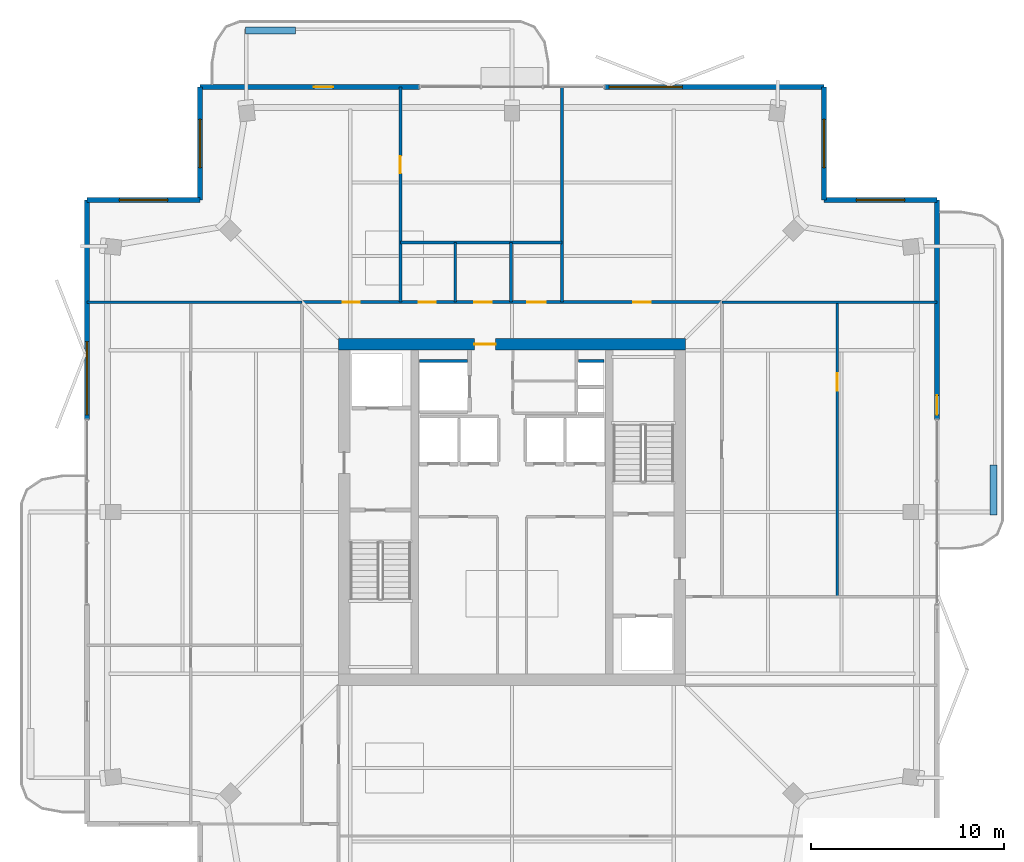
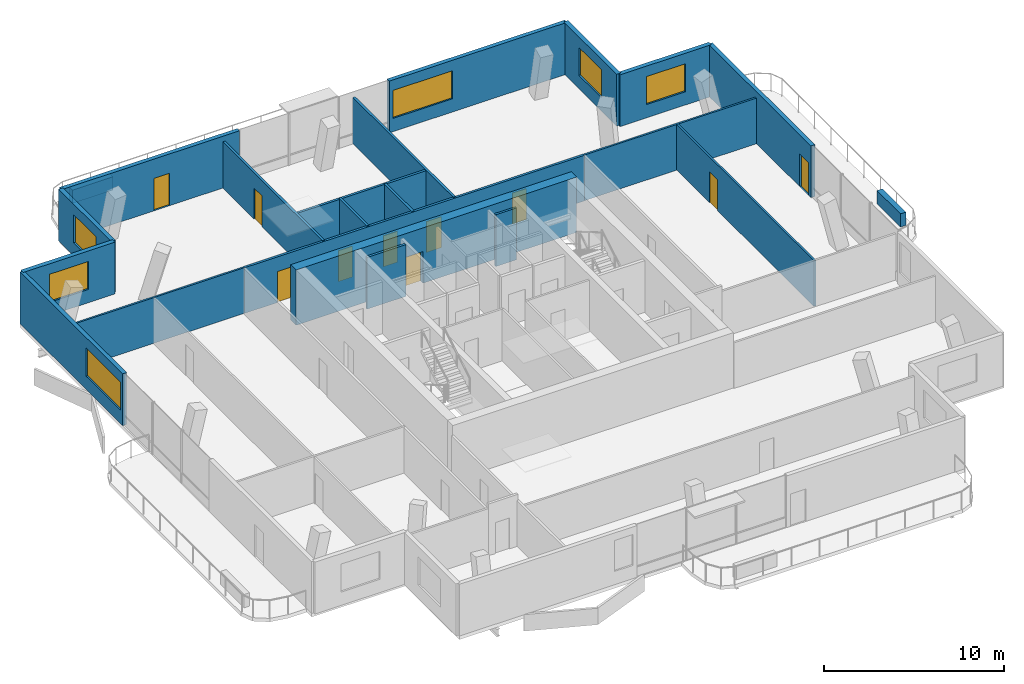
# One storey, part 15 of 19: 22 walls, 10 doors, 6 windows, 16 openings.
"""IFC4 building model written with IfcOpenShell, lengths in metres."""

from ifc_helpers import new_model, si_unit, direction, frame, frame_2d, origin, place, context, subcontext, project, spatial, rectangle, extrude, material, layer, layer_set, type_object, element, fill, save


model = new_model("IFC4")

# Units and contexts
model_context = context("Model", 3, precision=1e-05, world=origin(), true_north=direction((0.0, 1.0)))
body_context = subcontext(model_context, "Body", "Model", "MODEL_VIEW")
ifc_project = project(units=[si_unit("LENGTHUNIT", "METRE"), si_unit("AREAUNIT", "SQUARE_METRE"), si_unit("VOLUMEUNIT", "CUBIC_METRE"), si_unit("PLANEANGLEUNIT", "RADIAN"), si_unit("MASSUNIT", "GRAM", prefix="KILO")], contexts=[model_context])

# Site, building, storey
site_placement = place(None, origin())
site = spatial("IfcSite", under=ifc_project, at=site_placement, CompositionType="ELEMENT")
building_placement = place(site_placement, origin())
building = spatial("IfcBuilding", under=site, at=building_placement, Name="Belovzor Exchange Tower", CompositionType="ELEMENT")
storey_placement = place(building_placement, frame((0.0, 0.0, 340.5)))
storey = spatial("IfcBuildingStorey", under=building, at=storey_placement, Name="L85", CompositionType="ELEMENT", Elevation=340.5)

# Wall, opening, door
ifc_material_1 = material(Name="Acoustic Plasterboard on Galvanised Studs", Category="gypsum")
ifc_layer_1 = layer(ifc_material_1, 0.1201171875)
ifc_layer_set_1 = layer_set([ifc_layer_1], Name="Acoustic Plasterboard on Galvanised Studs")
wall_type_1 = type_object("IfcWallType", Name="Acoustic Double-Stud Partition Wall 120", PredefinedType="PARTITIONING", material=ifc_layer_set_1)
wall_1_placement = place(storey_placement, frame((45.68310546875, 24.39990234375, 0.0), z_axis=(0.0, 0.0, 1.0), x_axis=(0.0, 1.0, 0.0)))
wall_1 = element("IfcWall", 1, at=wall_1_placement, inside=storey, type_object=wall_type_1, Name="W-P120 Partition Wall W-L85-EHDIV-0", PredefinedType="PARTITIONING", context=body_context, shape_type="SweptSolid", body=[
    extrude(rectangle(XDim=15.300048828125, YDim=0.1201171875, at=frame_2d((7.64990234375, 0.0))), origin(), (0.0, 0.0, 1.0), 3.094970703125),
])
opening_1_placement = place(wall_1_placement, frame((10.699951171875, 0.0, 0.0)))
opening_1 = element("IfcOpeningElement", 2, at=opening_1_placement, cuts=wall_1, Name="Opening D-INT-090", PredefinedType="OPENING", context=body_context, shape_type="SweptSolid", body=[
    extrude(rectangle(XDim=0.89990234375, YDim=2.10009765625, at=frame_2d((0.449951171875, 1.050048828125))), frame((0.0, 0.070068359375, 0.0), z_axis=(0.0, -1.0, 0.0), x_axis=(1.0, 0.0, 0.0)), (0.0, 0.0, 1.0), 0.14013671875),
])
ifc_material_2 = material(Name="Veneered Hardwood Acoustic Leaf", Category="wood")
door_type_1 = type_object("IfcDoorType", Name="Trading Suite Acoustic Single Door 900x2100", OperationType="NOTDEFINED", PredefinedType="DOOR", material=ifc_material_2)
door_1_placement = place(opening_1_placement, origin())
door_1 = element("IfcDoor", 3, at=door_1_placement, inside=storey, type_object=door_type_1, Name="D-INT-090 Trading Suite Acoustic Single Door 900x2100", OperationType="SINGLE_SWING_RIGHT", OverallHeight=2.10009765625, OverallWidth=0.89990234375, PredefinedType="DOOR", context=body_context, shape_type="SweptSolid", body=[
    extrude(rectangle(XDim=0.89990234375, YDim=2.10009765625, at=frame_2d((0.449951171875, 1.050048828125))), frame((0.0, 0.02490234375, 0.0), z_axis=(0.0, -1.0, 0.0), x_axis=(1.0, 0.0, 0.0)), (0.0, 0.0, 1.0), 0.050048828125),
])
fill(opening_1, door_1)

# Walls
wall_2_placement = place(storey_placement, frame((6.72998046875, 39.699951171875, 0.0), z_axis=(0.0, 0.0, 1.0), x_axis=(1.0, 0.0, 0.0)))
element("IfcWall", 4, at=wall_2_placement, inside=storey, type_object=wall_type_1, Name="W-P120 Partition Wall W-L85-END-NW", PredefinedType="PARTITIONING", context=body_context, shape_type="SweptSolid", body=[
    extrude(rectangle(XDim=11.169921875, YDim=0.1201171875, at=frame_2d((5.5849609375, 0.0))), origin(), (0.0, 0.0, 1.0), 3.094970703125),
])
wall_3_placement = place(storey_placement, frame((39.699951171875, 39.699951171875, 0.0), z_axis=(0.0, 0.0, 1.0), x_axis=(1.0, 0.0, 0.0)))
element("IfcWall", 5, at=wall_3_placement, inside=storey, type_object=wall_type_1, Name="W-P120 Partition Wall W-L85-END-NE", PredefinedType="PARTITIONING", context=body_context, shape_type="SweptSolid", body=[
    extrude(rectangle(XDim=11.170166015625, YDim=0.1201171875, at=frame_2d((5.5849609375, 0.0))), origin(), (0.0, 0.0, 1.0), 3.094970703125),
])
ifc_material_3 = material(Name="Fire-Rated Gypsum Block and Mineral Wool", Category="gypsum")
ifc_layer_2 = layer(ifc_material_3, 0.14990234375)
ifc_layer_set_2 = layer_set([ifc_layer_2], Name="Fire-Rated Gypsum Block and Mineral Wool")
wall_type_2 = type_object("IfcWallType", Name="Fire-Rated Gypsum Block Corridor Wall 150", PredefinedType="PARTITIONING", material=ifc_layer_set_2)
wall_4_placement = place(storey_placement, frame((23.0, 42.800048828125, 0.0), z_axis=(0.0, 0.0, 1.0), x_axis=(1.0, 0.0, 0.0)))
element("IfcWall", 6, at=wall_4_placement, inside=storey, type_object=wall_type_2, Name="W-P150 Partition Wall W-L85-WCN", PredefinedType="PARTITIONING", context=body_context, shape_type="SweptSolid", body=[
    extrude(rectangle(XDim=8.39990234375, YDim=0.14990234375, at=frame_2d((4.199951171875, 0.0))), origin(), (0.0, 0.0, 1.0), 3.094970703125),
])

# Wall, opening, door
wall_5_placement = place(storey_placement, frame((23.0, 39.699951171875, 0.0), z_axis=(0.0, 0.0, 1.0), x_axis=(0.0, 1.0, 0.0)))
wall_5 = element("IfcWall", 7, at=wall_5_placement, inside=storey, type_object=wall_type_2, Name="W-P150 Partition Wall W-L85-WCW", PredefinedType="PARTITIONING", context=body_context, shape_type="SweptSolid", body=[
    extrude(rectangle(XDim=11.170166015625, YDim=0.14990234375, at=frame_2d((5.5849609375, 0.0))), origin(), (0.0, 0.0, 1.0), 3.135009765625),
])
opening_2_placement = place(wall_5_placement, frame((6.68505859375, 0.0, 0.0)))
opening_2 = element("IfcOpeningElement", 8, at=opening_2_placement, cuts=wall_5, Name="Opening D-INT-090", PredefinedType="OPENING", context=body_context, shape_type="SweptSolid", body=[
    extrude(rectangle(XDim=0.89990234375, YDim=2.10009765625, at=frame_2d((0.449951171875, 1.050048828125))), frame((0.0, 0.0849609375, 0.0), z_axis=(0.0, -1.0, 0.0), x_axis=(1.0, 0.0, 0.0)), (0.0, 0.0, 1.0), 0.169921875),
])
door_2_placement = place(opening_2_placement, origin())
door_2 = element("IfcDoor", 9, at=door_2_placement, inside=storey, type_object=door_type_1, Name="D-INT-090 Trading Suite Acoustic Single Door 900x2100", OperationType="SINGLE_SWING_LEFT", OverallHeight=2.10009765625, OverallWidth=0.89990234375, PredefinedType="DOOR", context=body_context, shape_type="SweptSolid", body=[
    extrude(rectangle(XDim=0.89990234375, YDim=2.10009765625, at=frame_2d((0.449951171875, 1.050048828125))), frame((0.0, 0.02490234375, 0.0), z_axis=(0.0, -1.0, 0.0), x_axis=(1.0, 0.0, 0.0)), (0.0, 0.0, 1.0), 0.050048828125),
])
fill(opening_2, door_2)

# Walls
wall_6_placement = place(storey_placement, frame((31.39990234375, 39.699951171875, 0.0), z_axis=(0.0, 0.0, 1.0), x_axis=(0.0, 1.0, 0.0)))
element("IfcWall", 10, at=wall_6_placement, inside=storey, type_object=wall_type_2, Name="W-P150 Partition Wall W-L85-WCE", PredefinedType="PARTITIONING", context=body_context, shape_type="SweptSolid", body=[
    extrude(rectangle(XDim=11.170166015625, YDim=0.14990234375, at=frame_2d((5.5849609375, 0.0))), origin(), (0.0, 0.0, 1.0), 3.135009765625),
])
wall_7_placement = place(storey_placement, frame((25.85009765625, 39.699951171875, 0.0), z_axis=(0.0, 0.0, 1.0), x_axis=(0.0, 1.0, 0.0)))
element("IfcWall", 11, at=wall_7_placement, inside=storey, type_object=wall_type_2, Name="W-P150 Partition Wall W-L85-WCD1", PredefinedType="PARTITIONING", context=body_context, shape_type="SweptSolid", body=[
    extrude(rectangle(XDim=3.10009765625, YDim=0.14990234375, at=frame_2d((1.550048828125, 0.0))), origin(), (0.0, 0.0, 1.0), 3.135009765625),
])
wall_8_placement = place(storey_placement, frame((28.75, 39.699951171875, 0.0), z_axis=(0.0, 0.0, 1.0), x_axis=(0.0, 1.0, 0.0)))
element("IfcWall", 12, at=wall_8_placement, inside=storey, type_object=wall_type_2, Name="W-P150 Partition Wall W-L85-WCD2", PredefinedType="PARTITIONING", context=body_context, shape_type="SweptSolid", body=[
    extrude(rectangle(XDim=3.10009765625, YDim=0.14990234375, at=frame_2d((1.550048828125, 0.0))), origin(), (0.0, 0.0, 1.0), 3.094970703125),
])

# Wall, openings, doors
wall_9_placement = place(storey_placement, frame((17.89990234375, 39.699951171875, 0.0), z_axis=(0.0, 0.0, 1.0), x_axis=(1.0, 0.0, 0.0)))
wall_9 = element("IfcWall", 13, at=wall_9_placement, inside=storey, type_object=wall_type_2, Name="W-P150 Partition Wall W-L85-CN", PredefinedType="PARTITIONING", context=body_context, shape_type="SweptSolid", body=[
    extrude(rectangle(XDim=21.800048828125, YDim=0.14990234375, at=frame_2d((10.89990234375, 0.0))), origin(), (0.0, 0.0, 1.0), 3.094970703125),
])
opening_3_placement = place(wall_9_placement, frame((2.10009765625, 0.0, 0.0)))
opening_3 = element("IfcOpeningElement", 14, at=opening_3_placement, cuts=wall_9, Name="Opening D-INT-090", PredefinedType="OPENING", context=body_context, shape_type="SweptSolid", body=[
    extrude(rectangle(XDim=0.89990234375, YDim=2.10009765625, at=frame_2d((0.449951171875, 1.050048828125))), frame((0.0, 0.0849609375, 0.0), z_axis=(0.0, -1.0, 0.0), x_axis=(1.0, 0.0, 0.0)), (0.0, 0.0, 1.0), 0.169921875),
])
opening_4_placement = place(wall_9_placement, frame((6.050048828125, 0.0, 0.0)))
opening_4 = element("IfcOpeningElement", 15, at=opening_4_placement, cuts=wall_9, Name="Opening D-FD60-090", PredefinedType="OPENING", context=body_context, shape_type="SweptSolid", body=[
    extrude(rectangle(XDim=0.89990234375, YDim=2.10009765625, at=frame_2d((0.449951171875, 1.050048828125))), frame((0.0, 0.0849609375, 0.0), z_axis=(0.0, -1.0, 0.0), x_axis=(1.0, 0.0, 0.0)), (0.0, 0.0, 1.0), 0.169921875),
])
opening_5_placement = place(wall_9_placement, frame((8.949951171875, 0.0, 0.0)))
opening_5 = element("IfcOpeningElement", 16, at=opening_5_placement, cuts=wall_9, Name="Opening D-FD60-090", PredefinedType="OPENING", context=body_context, shape_type="SweptSolid", body=[
    extrude(rectangle(XDim=0.89990234375, YDim=2.10009765625, at=frame_2d((0.449951171875, 1.050048828125))), frame((0.0, 0.0849609375, 0.0), z_axis=(0.0, -1.0, 0.0), x_axis=(1.0, 0.0, 0.0)), (0.0, 0.0, 1.0), 0.169921875),
])
opening_6_placement = place(wall_9_placement, frame((11.699951171875, 0.0, 0.0)))
opening_6 = element("IfcOpeningElement", 17, at=opening_6_placement, cuts=wall_9, Name="Opening D-FD60-095", PredefinedType="OPENING", context=body_context, shape_type="SweptSolid", body=[
    extrude(rectangle(XDim=0.949951171875, YDim=2.10009765625, at=frame_2d((0.47509765625, 1.050048828125))), frame((0.0, 0.0849609375, 0.0), z_axis=(0.0, -1.0, 0.0), x_axis=(1.0, 0.0, 0.0)), (0.0, 0.0, 1.0), 0.169921875),
])
opening_7_placement = place(wall_9_placement, frame((17.199951171875, 0.0, 0.0)))
opening_7 = element("IfcOpeningElement", 18, at=opening_7_placement, cuts=wall_9, Name="Opening D-INT-090", PredefinedType="OPENING", context=body_context, shape_type="SweptSolid", body=[
    extrude(rectangle(XDim=0.89990234375, YDim=2.10009765625, at=frame_2d((0.449951171875, 1.050048828125))), frame((0.0, 0.0849609375, 0.0), z_axis=(0.0, -1.0, 0.0), x_axis=(1.0, 0.0, 0.0)), (0.0, 0.0, 1.0), 0.169921875),
])
ifc_material_4 = material(Name="Moisture-Resistant Timber Fire Leaf", Category="wood")
door_type_2 = type_object("IfcDoorType", Name="Accessible Restroom Wide Fire Door 950x2100", OperationType="NOTDEFINED", PredefinedType="DOOR", material=ifc_material_4)
door_3_placement = place(opening_6_placement, origin())
door_3 = element("IfcDoor", 19, at=door_3_placement, inside=storey, type_object=door_type_2, Name="D-FD60-095 Accessible Restroom Wide Fire Door 950x2100", OperationType="SINGLE_SWING_LEFT", OverallHeight=2.10009765625, OverallWidth=0.949951171875, PredefinedType="DOOR", context=body_context, shape_type="SweptSolid", body=[
    extrude(rectangle(XDim=0.949951171875, YDim=2.10009765625, at=frame_2d((0.47509765625, 1.050048828125))), frame((0.0, 0.02490234375, 0.0), z_axis=(0.0, -1.0, 0.0), x_axis=(1.0, 0.0, 0.0)), (0.0, 0.0, 1.0), 0.050048828125),
])
fill(opening_6, door_3)
ifc_material_5 = material(Name="Acoustic Timber Fire Leaf", Category="wood")
door_type_3 = type_object("IfcDoorType", Name="Core Service & Restroom Fire Door 900x2100", OperationType="NOTDEFINED", PredefinedType="DOOR", material=ifc_material_5)
door_4_placement = place(opening_4_placement, origin())
door_4 = element("IfcDoor", 20, at=door_4_placement, inside=storey, type_object=door_type_3, Name="D-FD60-090 Core Service & Restroom Fire Door 900x2100", OperationType="SINGLE_SWING_LEFT", OverallHeight=2.10009765625, OverallWidth=0.89990234375, PredefinedType="DOOR", context=body_context, shape_type="SweptSolid", body=[
    extrude(rectangle(XDim=0.89990234375, YDim=2.10009765625, at=frame_2d((0.449951171875, 1.050048828125))), frame((0.0, 0.02490234375, 0.0), z_axis=(0.0, -1.0, 0.0), x_axis=(1.0, 0.0, 0.0)), (0.0, 0.0, 1.0), 0.050048828125),
])
fill(opening_4, door_4)
door_5_placement = place(opening_5_placement, origin())
door_5 = element("IfcDoor", 21, at=door_5_placement, inside=storey, type_object=door_type_3, Name="D-FD60-090 Core Service & Restroom Fire Door 900x2100", OperationType="SINGLE_SWING_RIGHT", OverallHeight=2.10009765625, OverallWidth=0.89990234375, PredefinedType="DOOR", context=body_context, shape_type="SweptSolid", body=[
    extrude(rectangle(XDim=0.89990234375, YDim=2.10009765625, at=frame_2d((0.449951171875, 1.050048828125))), frame((0.0, 0.02490234375, 0.0), z_axis=(0.0, -1.0, 0.0), x_axis=(1.0, 0.0, 0.0)), (0.0, 0.0, 1.0), 0.050048828125),
])
fill(opening_5, door_5)
door_6_placement = place(opening_3_placement, origin())
door_6 = element("IfcDoor", 22, at=door_6_placement, inside=storey, type_object=door_type_1, Name="D-INT-090 Trading Suite Acoustic Single Door 900x2100", OperationType="SINGLE_SWING_LEFT", OverallHeight=2.10009765625, OverallWidth=0.89990234375, PredefinedType="DOOR", context=body_context, shape_type="SweptSolid", body=[
    extrude(rectangle(XDim=0.89990234375, YDim=2.10009765625, at=frame_2d((0.449951171875, 1.050048828125))), frame((0.0, 0.02490234375, 0.0), z_axis=(0.0, -1.0, 0.0), x_axis=(1.0, 0.0, 0.0)), (0.0, 0.0, 1.0), 0.050048828125),
])
fill(opening_3, door_6)
door_7_placement = place(opening_7_placement, origin())
door_7 = element("IfcDoor", 23, at=door_7_placement, inside=storey, type_object=door_type_1, Name="D-INT-090 Trading Suite Acoustic Single Door 900x2100", OperationType="SINGLE_SWING_RIGHT", OverallHeight=2.10009765625, OverallWidth=0.89990234375, PredefinedType="DOOR", context=body_context, shape_type="SweptSolid", body=[
    extrude(rectangle(XDim=0.89990234375, YDim=2.10009765625, at=frame_2d((0.449951171875, 1.050048828125))), frame((0.0, 0.02490234375, 0.0), z_axis=(0.0, -1.0, 0.0), x_axis=(1.0, 0.0, 0.0)), (0.0, 0.0, 1.0), 0.050048828125),
])
fill(opening_7, door_7)

# Wall, opening, window
ifc_material_6 = material(Name="Precast concrete C40/50", Category="concrete")
ifc_layer_3 = layer(ifc_material_6, 0.280029296875)
ifc_layer_set_3 = layer_set([ifc_layer_3], Name="Precast concrete C40/50")
wall_type_3 = type_object("IfcWallType", Name="Precast Concrete Notched Corner Frame Wall 280", PredefinedType="SOLIDWALL", material=ifc_layer_set_3)
wall_10_placement = place(storey_placement, frame((6.72998046875, 45.0, 0.0), z_axis=(0.0, 0.0, 1.0), x_axis=(1.0, 0.0, 0.0)))
wall_10 = element("IfcWall", 24, at=wall_10_placement, inside=storey, type_object=wall_type_3, Name="W-CRN280 Precast Concrete Notched Corner Frame Wall 280 L85", PredefinedType="SOLIDWALL", context=body_context, shape_type="SweptSolid", body=[
    extrude(rectangle(XDim=5.8701171875, YDim=0.280029296875, at=frame_2d((2.93505859375, 0.0))), origin(), (0.0, 0.0, 1.0), 3.510009765625),
])
opening_8_placement = place(wall_10_placement, frame((1.68505859375, 0.0, 0.89990234375)))
opening_8 = element("IfcOpeningElement", 25, at=opening_8_placement, cuts=wall_10, Name="Opening WN-CRN250", PredefinedType="OPENING", context=body_context, shape_type="SweptSolid", body=[
    extrude(rectangle(XDim=2.5, YDim=1.89990234375, at=frame_2d((1.25, 0.949951171875))), frame((0.0, 0.14990234375, 0.0), z_axis=(0.0, -1.0, 0.0), x_axis=(1.0, 0.0, 0.0)), (0.0, 0.0, 1.0), 0.300048828125),
])
ifc_material_7 = material(Name="Thermally Broken Aluminium and Triple Glazing", Category="aluminium")
window_type_1 = type_object("IfcWindowType", Name="Streamline Moderne Corner Wrap Ribbon Window 2500x1900", PartitioningType="SINGLE_PANEL", PredefinedType="WINDOW", material=ifc_material_7)
window_1_placement = place(opening_8_placement, origin())
window_1 = element("IfcWindow", 26, at=window_1_placement, inside=storey, type_object=window_type_1, Name="WN-CRN250 Streamline Moderne Corner Wrap Ribbon Window 2500x1900", OverallHeight=1.89990234375, OverallWidth=2.5, PartitioningType="SINGLE_PANEL", PredefinedType="WINDOW", context=body_context, shape_type="SweptSolid", body=[
    extrude(rectangle(XDim=2.5, YDim=1.89990234375, at=frame_2d((1.25, 0.949951171875))), frame((0.0, 0.030029296875, 0.0), z_axis=(0.0, -1.0, 0.0), x_axis=(1.0, 0.0, 0.0)), (0.0, 0.0, 1.0), 0.06005859375),
])
fill(opening_8, window_1)

wall_11_placement = place(storey_placement, frame((12.60009765625, 45.0, 0.0), z_axis=(0.0, 0.0, 1.0), x_axis=(0.0, 1.0, 0.0)))
wall_11 = element("IfcWall", 27, at=wall_11_placement, inside=storey, type_object=wall_type_3, Name="W-CRN280 Precast Concrete Notched Corner Frame Wall 280 L85", PredefinedType="SOLIDWALL", context=body_context, shape_type="SweptSolid", body=[
    extrude(rectangle(XDim=5.8701171875, YDim=0.280029296875, at=frame_2d((2.93505859375, 0.0))), origin(), (0.0, 0.0, 1.0), 3.510009765625),
])
opening_9_placement = place(wall_11_placement, frame((1.68505859375, 0.0, 0.89990234375)))
opening_9 = element("IfcOpeningElement", 28, at=opening_9_placement, cuts=wall_11, Name="Opening WN-CRN250", PredefinedType="OPENING", context=body_context, shape_type="SweptSolid", body=[
    extrude(rectangle(XDim=2.5, YDim=1.89990234375, at=frame_2d((1.25, 0.949951171875))), frame((0.0, 0.14990234375, 0.0), z_axis=(0.0, -1.0, 0.0), x_axis=(1.0, 0.0, 0.0)), (0.0, 0.0, 1.0), 0.300048828125),
])
window_2_placement = place(opening_9_placement, origin())
window_2 = element("IfcWindow", 29, at=window_2_placement, inside=storey, type_object=window_type_1, Name="WN-CRN250 Streamline Moderne Corner Wrap Ribbon Window 2500x1900", OverallHeight=1.89990234375, OverallWidth=2.5, PartitioningType="SINGLE_PANEL", PredefinedType="WINDOW", context=body_context, shape_type="SweptSolid", body=[
    extrude(rectangle(XDim=2.5, YDim=1.89990234375, at=frame_2d((1.25, 0.949951171875))), frame((0.0, 0.030029296875, 0.0), z_axis=(0.0, -1.0, 0.0), x_axis=(1.0, 0.0, 0.0)), (0.0, 0.0, 1.0), 0.06005859375),
])
fill(opening_9, window_2)

wall_12_placement = place(storey_placement, frame((45.0, 50.8701171875, 0.0), z_axis=(0.0, 0.0, 1.0), x_axis=(0.0, -1.0, 0.0)))
wall_12 = element("IfcWall", 30, at=wall_12_placement, inside=storey, type_object=wall_type_3, Name="W-CRN280 Precast Concrete Notched Corner Frame Wall 280 L85", PredefinedType="SOLIDWALL", context=body_context, shape_type="SweptSolid", body=[
    extrude(rectangle(XDim=5.8701171875, YDim=0.280029296875, at=frame_2d((2.93505859375, 0.0))), origin(), (0.0, 0.0, 1.0), 3.510009765625),
])
opening_10_placement = place(wall_12_placement, frame((1.68505859375, 0.0, 0.89990234375)))
opening_10 = element("IfcOpeningElement", 31, at=opening_10_placement, cuts=wall_12, Name="Opening WN-CRN250", PredefinedType="OPENING", context=body_context, shape_type="SweptSolid", body=[
    extrude(rectangle(XDim=2.5, YDim=1.89990234375, at=frame_2d((1.25, 0.949951171875))), frame((0.0, 0.14990234375, 0.0), z_axis=(0.0, -1.0, 0.0), x_axis=(1.0, 0.0, 0.0)), (0.0, 0.0, 1.0), 0.300048828125),
])
window_3_placement = place(opening_10_placement, origin())
window_3 = element("IfcWindow", 32, at=window_3_placement, inside=storey, type_object=window_type_1, Name="WN-CRN250 Streamline Moderne Corner Wrap Ribbon Window 2500x1900", OverallHeight=1.89990234375, OverallWidth=2.5, PartitioningType="SINGLE_PANEL", PredefinedType="WINDOW", context=body_context, shape_type="SweptSolid", body=[
    extrude(rectangle(XDim=2.5, YDim=1.89990234375, at=frame_2d((1.25, 0.949951171875))), frame((0.0, 0.030029296875, 0.0), z_axis=(0.0, -1.0, 0.0), x_axis=(1.0, 0.0, 0.0)), (0.0, 0.0, 1.0), 0.06005859375),
])
fill(opening_10, window_3)

wall_13_placement = place(storey_placement, frame((45.0, 45.0, 0.0), z_axis=(0.0, 0.0, 1.0), x_axis=(1.0, 0.0, 0.0)))
wall_13 = element("IfcWall", 33, at=wall_13_placement, inside=storey, type_object=wall_type_3, Name="W-CRN280 Precast Concrete Notched Corner Frame Wall 280 L85", PredefinedType="SOLIDWALL", context=body_context, shape_type="SweptSolid", body=[
    extrude(rectangle(XDim=5.8701171875, YDim=0.280029296875, at=frame_2d((2.93505859375, 0.0))), origin(), (0.0, 0.0, 1.0), 3.510009765625),
])
opening_11_placement = place(wall_13_placement, frame((1.68505859375, 0.0, 0.89990234375)))
opening_11 = element("IfcOpeningElement", 34, at=opening_11_placement, cuts=wall_13, Name="Opening WN-CRN250", PredefinedType="OPENING", context=body_context, shape_type="SweptSolid", body=[
    extrude(rectangle(XDim=2.5, YDim=1.89990234375, at=frame_2d((1.25, 0.949951171875))), frame((0.0, 0.14990234375, 0.0), z_axis=(0.0, -1.0, 0.0), x_axis=(1.0, 0.0, 0.0)), (0.0, 0.0, 1.0), 0.300048828125),
])
window_4_placement = place(opening_11_placement, origin())
window_4 = element("IfcWindow", 35, at=window_4_placement, inside=storey, type_object=window_type_1, Name="WN-CRN250 Streamline Moderne Corner Wrap Ribbon Window 2500x1900", OverallHeight=1.89990234375, OverallWidth=2.5, PartitioningType="SINGLE_PANEL", PredefinedType="WINDOW", context=body_context, shape_type="SweptSolid", body=[
    extrude(rectangle(XDim=2.5, YDim=1.89990234375, at=frame_2d((1.25, 0.949951171875))), frame((0.0, 0.030029296875, 0.0), z_axis=(0.0, -1.0, 0.0), x_axis=(1.0, 0.0, 0.0)), (0.0, 0.0, 1.0), 0.06005859375),
])
fill(opening_11, window_4)

# Wall, opening, door
ifc_material_8 = material(Name="Precast concrete C40/50", Category="concrete")
ifc_layer_4 = layer(ifc_material_8, 0.260009765625)
ifc_layer_set_4 = layer_set([ifc_layer_4], Name="Precast concrete C40/50")
wall_type_4 = type_object("IfcWallType", Name="Precast Concrete Perimeter Loggia Frame Wall 260", PredefinedType="SOLIDWALL", material=ifc_layer_set_4)
wall_14_placement = place(storey_placement, frame((12.60009765625, 50.8701171875, 0.0), z_axis=(0.0, 0.0, 1.0), x_axis=(1.0, 0.0, 0.0)))
wall_14 = element("IfcWall", 36, at=wall_14_placement, inside=storey, type_object=wall_type_4, Name="W-EXT260 Precast Concrete Perimeter Loggia Frame Wall 260 L85", PredefinedType="SOLIDWALL", context=body_context, shape_type="SweptSolid", body=[
    extrude(rectangle(XDim=11.39990234375, YDim=0.260009765625, at=frame_2d((5.699951171875, 0.0))), origin(), (0.0, 0.0, 1.0), 3.510009765625),
])
opening_12_placement = place(wall_14_placement, frame((5.9150390625, 0.0, 0.0)))
opening_12 = element("IfcOpeningElement", 37, at=opening_12_placement, cuts=wall_14, Name="Opening D-BAL100", PredefinedType="OPENING", context=body_context, shape_type="SweptSolid", body=[
    extrude(rectangle(XDim=1.0, YDim=2.199951171875, at=frame_2d((0.5, 1.10009765625))), frame((0.0, 0.139892578125, 0.0), z_axis=(0.0, -1.0, 0.0), x_axis=(1.0, 0.0, 0.0)), (0.0, 0.0, 1.0), 0.280029296875),
])
ifc_material_9 = material(Name="Thermally Broken Anodised Aluminium and Laminated Glass", Category="aluminium")
door_type_4 = type_object("IfcDoorType", Name="Planted Loggia Terrace Glazed Door 1000x2200", OperationType="SINGLE_SWING_LEFT", PredefinedType="DOOR", material=ifc_material_9)
door_8_placement = place(opening_12_placement, origin())
door_8 = element("IfcDoor", 38, at=door_8_placement, inside=storey, type_object=door_type_4, Name="D-BAL100 Balcony Terrace Door L85 N", OperationType="SINGLE_SWING_RIGHT", OverallHeight=2.199951171875, OverallWidth=1.0, PredefinedType="DOOR", context=body_context, shape_type="SweptSolid", body=[
    extrude(rectangle(XDim=1.0, YDim=2.199951171875, at=frame_2d((0.5, 1.10009765625))), frame((0.0, 0.02490234375, 0.0), z_axis=(0.0, -1.0, 0.0), x_axis=(1.0, 0.0, 0.0)), (0.0, 0.0, 1.0), 0.050048828125),
])
fill(opening_12, door_8)

# Wall, opening, window
wall_15_placement = place(storey_placement, frame((33.60009765625, 50.8701171875, 0.0), z_axis=(0.0, 0.0, 1.0), x_axis=(1.0, 0.0, 0.0)))
wall_15 = element("IfcWall", 39, at=wall_15_placement, inside=storey, type_object=wall_type_4, Name="W-EXT260 Precast Concrete Perimeter Loggia Frame Wall 260 L85", PredefinedType="SOLIDWALL", context=body_context, shape_type="SweptSolid", body=[
    extrude(rectangle(XDim=11.39990234375, YDim=0.260009765625, at=frame_2d((5.699951171875, 0.0))), origin(), (0.0, 0.0, 1.0), 3.510009765625),
])
opening_13_placement = place(wall_15_placement, frame((0.25, 0.0, 0.89990234375)))
opening_13 = element("IfcOpeningElement", 40, at=opening_13_placement, cuts=wall_15, Name="Opening WN-RIB380", PredefinedType="OPENING", context=body_context, shape_type="SweptSolid", body=[
    extrude(rectangle(XDim=3.800048828125, YDim=1.89990234375, at=frame_2d((1.89990234375, 0.949951171875))), frame((0.0, 0.139892578125, 0.0), z_axis=(0.0, -1.0, 0.0), x_axis=(1.0, 0.0, 0.0)), (0.0, 0.0, 1.0), 0.280029296875),
])
ifc_material_10 = material(Name="Thermally Broken Aluminium and Triple Glazing", Category="aluminium")
window_type_2 = type_object("IfcWindowType", Name="Streamline Moderne Horizontal Ribbon Window 3800x1900", PartitioningType="SINGLE_PANEL", PredefinedType="WINDOW", material=ifc_material_10)
window_5_placement = place(opening_13_placement, origin())
window_5 = element("IfcWindow", 41, at=window_5_placement, inside=storey, type_object=window_type_2, Name="WN-RIB380 Streamline Moderne Horizontal Ribbon Window 3800x1900", OverallHeight=1.89990234375, OverallWidth=3.800048828125, PartitioningType="SINGLE_PANEL", PredefinedType="WINDOW", context=body_context, shape_type="SweptSolid", body=[
    extrude(rectangle(XDim=3.800048828125, YDim=1.89990234375, at=frame_2d((1.89990234375, 0.949951171875))), frame((0.0, 0.030029296875, 0.0), z_axis=(0.0, -1.0, 0.0), x_axis=(1.0, 0.0, 0.0)), (0.0, 0.0, 1.0), 0.06005859375),
])
fill(opening_13, window_5)

wall_16_placement = place(storey_placement, frame((6.72998046875, 33.60009765625, 0.0), z_axis=(0.0, 0.0, 1.0), x_axis=(0.0, 1.0, 0.0)))
wall_16 = element("IfcWall", 42, at=wall_16_placement, inside=storey, type_object=wall_type_4, Name="W-EXT260 Precast Concrete Perimeter Loggia Frame Wall 260 L85", PredefinedType="SOLIDWALL", context=body_context, shape_type="SweptSolid", body=[
    extrude(rectangle(XDim=11.39990234375, YDim=0.260009765625, at=frame_2d((5.699951171875, 0.0))), origin(), (0.0, 0.0, 1.0), 3.510009765625),
])
opening_14_placement = place(wall_16_placement, frame((0.25, 0.0, 0.89990234375)))
opening_14 = element("IfcOpeningElement", 43, at=opening_14_placement, cuts=wall_16, Name="Opening WN-RIB380", PredefinedType="OPENING", context=body_context, shape_type="SweptSolid", body=[
    extrude(rectangle(XDim=3.800048828125, YDim=1.89990234375, at=frame_2d((1.89990234375, 0.949951171875))), frame((0.0, 0.139892578125, 0.0), z_axis=(0.0, -1.0, 0.0), x_axis=(1.0, 0.0, 0.0)), (0.0, 0.0, 1.0), 0.280029296875),
])
window_6_placement = place(opening_14_placement, origin())
window_6 = element("IfcWindow", 44, at=window_6_placement, inside=storey, type_object=window_type_2, Name="WN-RIB380 Streamline Moderne Horizontal Ribbon Window 3800x1900", OverallHeight=1.89990234375, OverallWidth=3.800048828125, PartitioningType="SINGLE_PANEL", PredefinedType="WINDOW", context=body_context, shape_type="SweptSolid", body=[
    extrude(rectangle(XDim=3.800048828125, YDim=1.89990234375, at=frame_2d((1.89990234375, 0.949951171875))), frame((0.0, 0.030029296875, 0.0), z_axis=(0.0, -1.0, 0.0), x_axis=(1.0, 0.0, 0.0)), (0.0, 0.0, 1.0), 0.06005859375),
])
fill(opening_14, window_6)

# Wall, opening, door
wall_17_placement = place(storey_placement, frame((50.8701171875, 45.0, 0.0), z_axis=(0.0, 0.0, 1.0), x_axis=(0.0, -1.0, 0.0)))
wall_17 = element("IfcWall", 45, at=wall_17_placement, inside=storey, type_object=wall_type_4, Name="W-EXT260 Precast Concrete Perimeter Loggia Frame Wall 260 L85", PredefinedType="SOLIDWALL", context=body_context, shape_type="SweptSolid", body=[
    extrude(rectangle(XDim=11.39990234375, YDim=0.260009765625, at=frame_2d((5.699951171875, 0.0))), origin(), (0.0, 0.0, 1.0), 3.510009765625),
])
opening_15_placement = place(wall_17_placement, frame((10.14990234375, 0.0, 0.0)))
opening_15 = element("IfcOpeningElement", 46, at=opening_15_placement, cuts=wall_17, Name="Opening D-BAL100", PredefinedType="OPENING", context=body_context, shape_type="SweptSolid", body=[
    extrude(rectangle(XDim=1.0, YDim=2.199951171875, at=frame_2d((0.5, 1.10009765625))), frame((0.0, 0.139892578125, 0.0), z_axis=(0.0, -1.0, 0.0), x_axis=(1.0, 0.0, 0.0)), (0.0, 0.0, 1.0), 0.280029296875),
])
door_9_placement = place(opening_15_placement, origin())
door_9 = element("IfcDoor", 47, at=door_9_placement, inside=storey, type_object=door_type_4, Name="D-BAL100 Balcony Terrace Door L85 E", OperationType="SINGLE_SWING_LEFT", OverallHeight=2.199951171875, OverallWidth=1.0, PredefinedType="DOOR", context=body_context, shape_type="SweptSolid", body=[
    extrude(rectangle(XDim=1.0, YDim=2.199951171875, at=frame_2d((0.5, 1.10009765625))), frame((0.0, 0.02490234375, 0.0), z_axis=(0.0, -1.0, 0.0), x_axis=(1.0, 0.0, 0.0)), (0.0, 0.0, 1.0), 0.050048828125),
])
fill(opening_15, door_9)

# Walls
ifc_material_11 = material(Name="Precast concrete C40/50", Category="concrete")
ifc_layer_5 = layer(ifc_material_11, 0.35009765625)
ifc_layer_set_5 = layer_set([ifc_layer_5], Name="Precast concrete C40/50")
wall_type_5 = type_object("IfcWallType", Name="Precast Concrete Structural Tree Planter Trough 350", PredefinedType="PARAPET", material=ifc_layer_set_5)
for number, where, z_axis, x_axis, name in (
    (48, (14.949951171875, 53.800048828125, 0.0), (0.0, 0.0, 1.0), (1.0, 0.0, 0.0), "PT-350 Precast Concrete Structural Tree Planter Trough 350 L85"),
    (49, (53.800048828125, 28.64990234375, 0.0), (0.0, 0.0, 1.0), (0.0, 1.0, 0.0), "PT-350 Precast Concrete Structural Tree Planter Trough 350 L85"),
):
    element("IfcWall", number, at=place(storey_placement, frame(where, z_axis=z_axis, x_axis=x_axis)), inside=storey, type_object=wall_type_5, Name=name, PredefinedType="PARAPET", context=body_context, shape_type="SweptSolid", body=[
        extrude(rectangle(XDim=2.60009765625, YDim=0.35009765625, at=frame_2d((1.300048828125, 0.0))), origin(), (0.0, 0.0, 1.0), 0.89990234375),
    ])
ifc_material_12 = material(Name="Concrete C50/60", Category="concrete")
ifc_layer_6 = layer(ifc_material_12, 0.14990234375)
ifc_layer_set_6 = layer_set([ifc_layer_6], Name="Concrete C50/60")
wall_type_6 = type_object("IfcWallType", Name="Reinforced Concrete Core Riser Shear Wall 150", PredefinedType="SHEAR", material=ifc_layer_set_6)
wall_18_placement = place(storey_placement, frame((24.0, 36.64990234375, 0.0), z_axis=(0.0, 0.0, 1.0), x_axis=(1.0, 0.0, 0.0)))
element("IfcWall", 50, at=wall_18_placement, inside=storey, type_object=wall_type_6, Name="W-C150S Core Shaft Wall W-SH-L85-SL-01N", PredefinedType="SHEAR", context=body_context, shape_type="SweptSolid", body=[
    extrude(rectangle(XDim=2.47998046875, YDim=0.14990234375, at=frame_2d((1.239990234375, 0.0))), origin(), (0.0, 0.0, 1.0), 3.510009765625),
])
wall_19_placement = place(storey_placement, frame((32.25, 36.64990234375, 0.0), z_axis=(0.0, 0.0, 1.0), x_axis=(1.0, 0.0, 0.0)))
element("IfcWall", 51, at=wall_19_placement, inside=storey, type_object=wall_type_6, Name="W-C150S Core Shaft Wall W-RSR-L85-N", PredefinedType="SHEAR", context=body_context, shape_type="SweptSolid", body=[
    extrude(rectangle(XDim=1.330078125, YDim=0.14990234375, at=frame_2d((0.6650390625, 0.0))), origin(), (0.0, 0.0, 1.0), 3.510009765625),
])

# Wall, opening, door
ifc_material_13 = material(Name="Concrete C50/60", Category="concrete")
ifc_layer_7 = layer(ifc_material_13, 0.60009765625)
ifc_layer_set_7 = layer_set([ifc_layer_7], Name="Concrete C50/60")
wall_type_7 = type_object("IfcWallType", Name="Reinforced Concrete Core Shear Wall 600", PredefinedType="SHEAR", material=ifc_layer_set_7)
wall_20_placement = place(storey_placement, frame((19.800048828125, 37.5, 0.0), z_axis=(0.0, 0.0, 1.0), x_axis=(1.0, 0.0, 0.0)))
wall_20 = element("IfcWall", 52, at=wall_20_placement, inside=storey, type_object=wall_type_7, Name="CW-S060 Core Shear Wall L85 N", PredefinedType="SHEAR", context=body_context, shape_type="SweptSolid", body=[
    extrude(rectangle(XDim=18.0, YDim=0.60009765625, at=frame_2d((9.0, 0.0))), origin(), (0.0, 0.0, 1.0), 3.75),
])
opening_16_placement = place(wall_20_placement, frame((7.050048828125, 0.0, 0.0)))
opening_16 = element("IfcOpeningElement", 53, at=opening_16_placement, cuts=wall_20, Name="Opening D-FD90-110", PredefinedType="OPENING", context=body_context, shape_type="SweptSolid", body=[
    extrude(rectangle(XDim=1.10009765625, YDim=2.14990234375, at=frame_2d((0.550048828125, 1.074951171875))), frame((0.0, 0.31005859375, 0.0), z_axis=(0.0, -1.0, 0.0), x_axis=(1.0, 0.0, 0.0)), (0.0, 0.0, 1.0), 0.6201171875),
])
ifc_material_14 = material(Name="Fire-Rated Galvanised Steel Leaf", Category="steel")
door_type_5 = type_object("IfcDoorType", Name="Protected Escape Vestibule Fire Door 1100x2150", OperationType="NOTDEFINED", PredefinedType="DOOR", material=ifc_material_14)
door_10_placement = place(opening_16_placement, origin())
door_10 = element("IfcDoor", 54, at=door_10_placement, inside=storey, type_object=door_type_5, Name="D-FD90-110 Protected Escape Vestibule Fire Door 1100x2150", OperationType="SINGLE_SWING_LEFT", OverallHeight=2.14990234375, OverallWidth=1.10009765625, PredefinedType="DOOR", context=body_context, shape_type="SweptSolid", body=[
    extrude(rectangle(XDim=1.10009765625, YDim=2.14990234375, at=frame_2d((0.550048828125, 1.074951171875))), frame((0.0, 0.02490234375, 0.0), z_axis=(0.0, -1.0, 0.0), x_axis=(1.0, 0.0, 0.0)), (0.0, 0.0, 1.0), 0.050048828125),
])
fill(opening_16, door_10)

save(model, "model.ifc")
